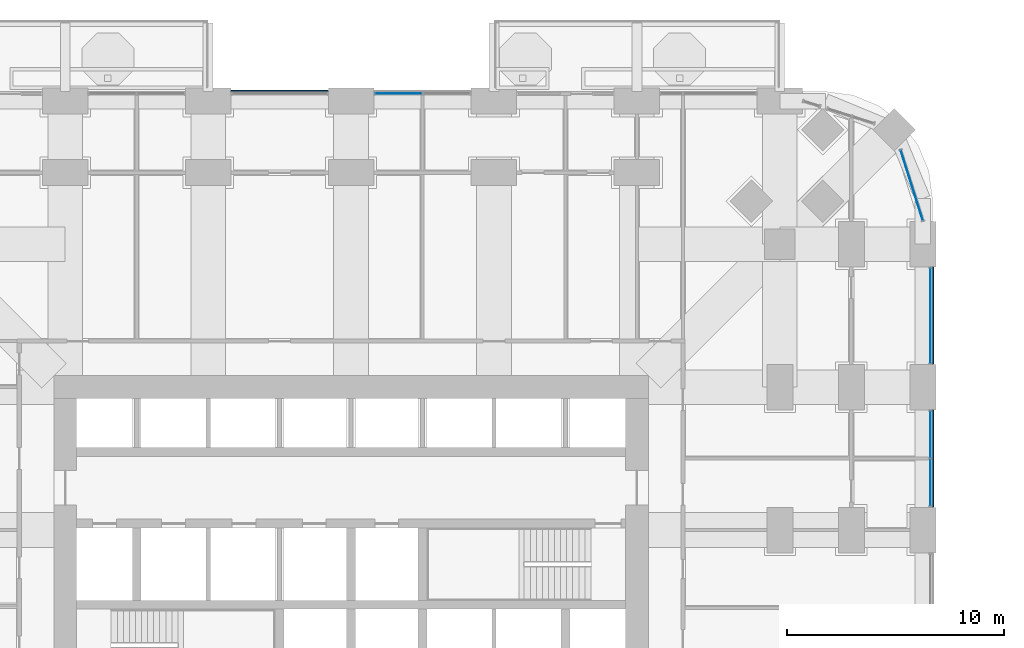
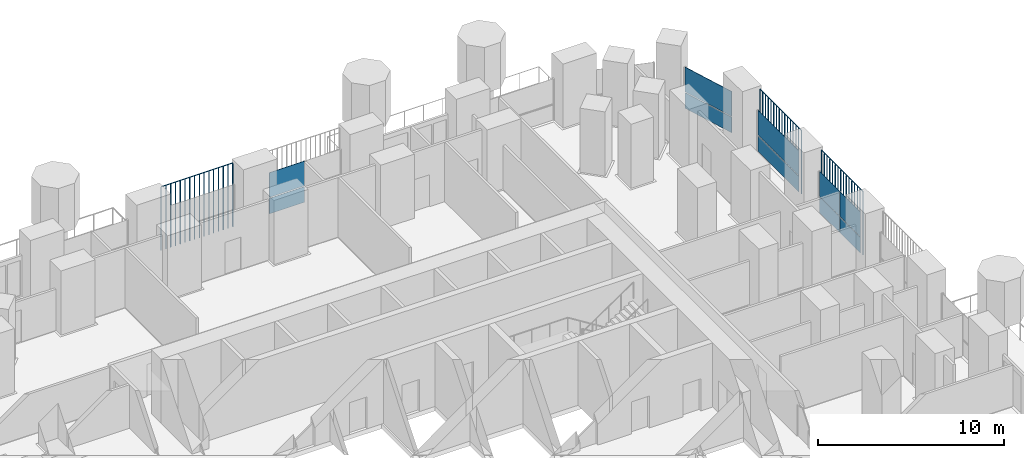
# One storey, part 16 of 27: 13 plates, 4 elements without a shape of their own.
"""IFC4 building model written with IfcOpenShell, lengths in metres."""

from ifc_helpers import new_model, si_unit, direction, frame, origin, origin_2d, place, context, subcontext, project, spatial, polyline, rectangle, outline, extrude, material, layer, layer_set, type_object, element, aggregate, save


model = new_model("IFC4")

# Units and contexts
model_context = context("Model", 3, precision=1e-05, world=origin(), true_north=direction((0.0, 1.0)))
body_context = subcontext(model_context, "Body", "Model", "MODEL_VIEW")
ifc_project = project(units=[si_unit("LENGTHUNIT", "METRE"), si_unit("AREAUNIT", "SQUARE_METRE"), si_unit("VOLUMEUNIT", "CUBIC_METRE"), si_unit("PLANEANGLEUNIT", "RADIAN"), si_unit("MASSUNIT", "GRAM", prefix="KILO")], contexts=[model_context])

# Site, building, storey
site_placement = place(None, origin())
site = spatial("IfcSite", under=ifc_project, at=site_placement, CompositionType="ELEMENT")
building_placement = place(site_placement, origin())
building = spatial("IfcBuilding", under=site, at=building_placement, Name="Cobogo Forest Laboratory Tower", CompositionType="ELEMENT")
storey_placement = place(building_placement, frame((0.0, 0.0, 54.89990234375)))
storey = spatial("IfcBuildingStorey", under=building, at=storey_placement, Name="L12", CompositionType="ELEMENT", Elevation=54.89990234375)

# Curtain wall, plates
ifc_material_1 = material(Name="Aluminium curtain wall", Category="aluminium")
curtain_wall_type = type_object("IfcCurtainWallType", Name="CW-1 unitised curtain wall, clear glazing, laboratory floors zones A and B", PredefinedType="USERDEFINED", material=ifc_material_1)
curtain_wall_1_placement = place(storey_placement, origin())
curtain_wall_1 = element("IfcCurtainWall", 1, at=curtain_wall_1_placement, inside=storey, type_object=curtain_wall_type, Name="Curtain wall 13 L12", ObjectType="UNITISED CURTAIN WALL", PredefinedType="USERDEFINED")
ifc_material_2 = material(Name="Clear insulated glass", Category="glass")
ifc_layer = layer(ifc_material_2, 0.028076171875)
ifc_layer_set = layer_set([ifc_layer], Name="GP-1 clear insulated glass unit 28")
plate_type_1 = type_object("IfcPlateType", Name="GP-1 clear insulated glass unit 28", PredefinedType="CURTAIN_PANEL", material=ifc_layer_set)
plate_1_placement = place(storey_placement, frame((53.14990234375, 28.590087890625, 0.0), z_axis=(0.0, 0.0, 1.0), x_axis=(0.0, 1.0, 0.0)))
plate_1 = element("IfcPlate", 2, at=plate_1_placement, type_object=plate_type_1, Name="CW-1 panel 1.1", PredefinedType="CURTAIN_PANEL", context=body_context, shape_type="SweptSolid", body=[
    extrude(rectangle(XDim=2.159912109375, YDim=0.028076171875, at=origin_2d()), origin(), (0.0, 0.0, 1.0), 1.02001953125),
])
plate_2_placement = place(storey_placement, frame((53.14990234375, 28.590087890625, 1.080078125), z_axis=(0.0, 0.0, 1.0), x_axis=(0.0, 1.0, 0.0)))
plate_2 = element("IfcPlate", 3, at=plate_2_placement, type_object=plate_type_1, Name="CW-1 panel 1.2", PredefinedType="CURTAIN_PANEL", context=body_context, shape_type="SweptSolid", body=[
    extrude(rectangle(XDim=2.159912109375, YDim=0.028076171875, at=origin_2d()), origin(), (0.0, 0.0, 1.0), 1.6201171875),
])
plate_3_placement = place(storey_placement, frame((53.14990234375, 30.81005859375, 0.0), z_axis=(0.0, 0.0, 1.0), x_axis=(0.0, 1.0, 0.0)))
plate_3 = element("IfcPlate", 4, at=plate_3_placement, type_object=plate_type_1, Name="CW-1 panel 2.1", PredefinedType="CURTAIN_PANEL", context=body_context, shape_type="SweptSolid", body=[
    extrude(rectangle(XDim=2.159912109375, YDim=0.028076171875, at=origin_2d()), origin(), (0.0, 0.0, 1.0), 1.02001953125),
])
plate_4_placement = place(storey_placement, frame((53.14990234375, 30.81005859375, 1.080078125), z_axis=(0.0, 0.0, 1.0), x_axis=(0.0, 1.0, 0.0)))
plate_4 = element("IfcPlate", 5, at=plate_4_placement, type_object=plate_type_1, Name="CW-1 panel 2.2", PredefinedType="CURTAIN_PANEL", context=body_context, shape_type="SweptSolid", body=[
    extrude(rectangle(XDim=2.159912109375, YDim=0.028076171875, at=origin_2d()), origin(), (0.0, 0.0, 1.0), 1.6201171875),
])
aggregate(curtain_wall_1, [plate_1, plate_2, plate_3, plate_4])

curtain_wall_2_placement = place(storey_placement, origin())
curtain_wall_2 = element("IfcCurtainWall", 6, at=curtain_wall_2_placement, inside=storey, type_object=curtain_wall_type, Name="Curtain wall 14 L12", ObjectType="UNITISED CURTAIN WALL", PredefinedType="USERDEFINED")
plate_5_placement = place(storey_placement, frame((53.14990234375, 36.300048828125, 0.0), z_axis=(0.0, 0.0, 1.0), x_axis=(0.0, 1.0, 0.0)))
plate_5 = element("IfcPlate", 7, at=plate_5_placement, type_object=plate_type_1, Name="CW-1 panel 1.1", PredefinedType="CURTAIN_PANEL", context=body_context, shape_type="SweptSolid", body=[
    extrude(rectangle(XDim=4.3798828125, YDim=0.028076171875, at=origin_2d()), origin(), (0.0, 0.0, 1.0), 1.02001953125),
])
plate_6_placement = place(storey_placement, frame((53.14990234375, 36.300048828125, 1.080078125), z_axis=(0.0, 0.0, 1.0), x_axis=(0.0, 1.0, 0.0)))
plate_6 = element("IfcPlate", 8, at=plate_6_placement, type_object=plate_type_1, Name="CW-1 panel 1.2", PredefinedType="CURTAIN_PANEL", context=body_context, shape_type="SweptSolid", body=[
    extrude(rectangle(XDim=4.3798828125, YDim=0.028076171875, at=origin_2d()), origin(), (0.0, 0.0, 1.0), 1.6201171875),
])
aggregate(curtain_wall_2, [plate_5, plate_6])

curtain_wall_3_placement = place(storey_placement, origin())
curtain_wall_3 = element("IfcCurtainWall", 9, at=curtain_wall_3_placement, inside=storey, type_object=curtain_wall_type, Name="Curtain wall 15 L12", ObjectType="UNITISED CURTAIN WALL", PredefinedType="USERDEFINED")
plate_7_placement = place(storey_placement, frame((52.291015625, 42.320068359375, 0.0), z_axis=(0.0, 0.0, 1.0), x_axis=(-0.30113535792, 0.95358140513, 0.0)))
plate_7 = element("IfcPlate", 10, at=plate_7_placement, type_object=plate_type_1, Name="CW-1 panel 1.1", PredefinedType="CURTAIN_PANEL", context=body_context, shape_type="SweptSolid", body=[
    extrude(rectangle(XDim=3.382568359375, YDim=0.028076171875, at=origin_2d()), origin(), (0.0, 0.0, 1.0), 1.02001953125),
])
plate_8_placement = place(storey_placement, frame((52.291015625, 42.320068359375, 1.080078125), z_axis=(0.0, 0.0, 1.0), x_axis=(-0.30113535792, 0.95358140513, 0.0)))
plate_8 = element("IfcPlate", 11, at=plate_8_placement, type_object=plate_type_1, Name="CW-1 panel 1.2", PredefinedType="CURTAIN_PANEL", context=body_context, shape_type="SweptSolid", body=[
    extrude(rectangle(XDim=3.382568359375, YDim=0.028076171875, at=origin_2d()), origin(), (0.0, 0.0, 1.0), 1.6201171875),
])
aggregate(curtain_wall_3, [plate_7, plate_8])

curtain_wall_4_placement = place(storey_placement, origin())
curtain_wall_4 = element("IfcCurtainWall", 12, at=curtain_wall_4_placement, inside=storey, type_object=curtain_wall_type, Name="Curtain wall 20 L12", ObjectType="UNITISED CURTAIN WALL", PredefinedType="USERDEFINED")
plate_9_placement = place(storey_placement, frame((28.590087890625, 46.550048828125, 0.0), z_axis=(0.0, 0.0, 1.0), x_axis=(-1.0, 0.0, 0.0)))
plate_9 = element("IfcPlate", 13, at=plate_9_placement, type_object=plate_type_1, Name="CW-1 panel 2.1", PredefinedType="CURTAIN_PANEL", context=body_context, shape_type="SweptSolid", body=[
    extrude(rectangle(XDim=2.159912109375, YDim=0.028076171875, at=origin_2d()), origin(), (0.0, 0.0, 1.0), 1.02001953125),
])
plate_10_placement = place(storey_placement, frame((28.590087890625, 46.550048828125, 1.080078125), z_axis=(0.0, 0.0, 1.0), x_axis=(-1.0, 0.0, 0.0)))
plate_10 = element("IfcPlate", 14, at=plate_10_placement, type_object=plate_type_1, Name="CW-1 panel 2.2", PredefinedType="CURTAIN_PANEL", context=body_context, shape_type="SweptSolid", body=[
    extrude(rectangle(XDim=2.159912109375, YDim=0.028076171875, at=origin_2d()), origin(), (0.0, 0.0, 1.0), 1.6201171875),
])
aggregate(curtain_wall_4, [plate_9, plate_10])

# Plates
ifc_material_3 = material(Name="Terracotta", Category="masonry")
plate_type_2 = type_object("IfcPlateType", Name="TB1 terracotta baguette screen", PredefinedType="USERDEFINED", material=ifc_material_3)
plate_11_placement = place(storey_placement, frame((53.27783203125, 27.481201171875, -0.14990234375)))
element("IfcPlate", 15, at=plate_11_placement, inside=storey, type_object=plate_type_2, Name="Baguette screen E4 L12", ObjectType="BAGUETTE SCREEN", PredefinedType="USERDEFINED", context=body_context, shape_type="SweptSolid", body=[
    extrude(outline(polyline([(0.02880859375, 0.011962890625), (0.011962890625, 0.02880859375), (-0.011962890625, 0.02880859375), (-0.02880859375, 0.011962890625), (-0.02880859375, -0.011962890625), (-0.011962890625, -0.02880859375), (0.011962890625, -0.02880859375), (0.02880859375, -0.011962890625), (0.02880859375, 0.011962890625)])), frame((0.0, 0.0, 4.168701171875), z_axis=(0.0, 1.0, 0.0), x_axis=(-1.0, 0.0, 0.0)), (0.0, 0.0, 1.0), 4.4375),
    extrude(outline(polyline([(0.02880859375, 0.011962890625), (0.011962890625, 0.02880859375), (-0.011962890625, 0.02880859375), (-0.02880859375, 0.011962890625), (-0.02880859375, -0.011962890625), (-0.011962890625, -0.02880859375), (0.011962890625, -0.02880859375), (0.02880859375, -0.011962890625), (0.02880859375, 0.011962890625)])), origin(), (0.0, 0.0, 1.0), 4.137451171875),
    extrude(outline(polyline([(0.02880859375, 0.011962890625), (0.011962890625, 0.02880859375), (-0.011962890625, 0.02880859375), (-0.02880859375, 0.011962890625), (-0.02880859375, -0.011962890625), (-0.011962890625, -0.02880859375), (0.011962890625, -0.02880859375), (0.02880859375, -0.011962890625), (0.02880859375, 0.011962890625)])), frame((0.0, 0.2958984375, 0.0)), (0.0, 0.0, 1.0), 4.137451171875),
    extrude(outline(polyline([(0.02880859375, 0.011962890625), (0.011962890625, 0.02880859375), (-0.011962890625, 0.02880859375), (-0.02880859375, 0.011962890625), (-0.02880859375, -0.011962890625), (-0.011962890625, -0.02880859375), (0.011962890625, -0.02880859375), (0.02880859375, -0.011962890625), (0.02880859375, 0.011962890625)])), frame((0.0, 0.591552734375, 0.0)), (0.0, 0.0, 1.0), 4.137451171875),
    extrude(outline(polyline([(0.02880859375, 0.011962890625), (0.011962890625, 0.02880859375), (-0.011962890625, 0.02880859375), (-0.02880859375, 0.011962890625), (-0.02880859375, -0.011962890625), (-0.011962890625, -0.02880859375), (0.011962890625, -0.02880859375), (0.02880859375, -0.011962890625), (0.02880859375, 0.011962890625)])), frame((0.0, 0.887451171875, 0.0)), (0.0, 0.0, 1.0), 4.137451171875),
    extrude(outline(polyline([(0.02880859375, 0.011962890625), (0.011962890625, 0.02880859375), (-0.011962890625, 0.02880859375), (-0.02880859375, 0.011962890625), (-0.02880859375, -0.011962890625), (-0.011962890625, -0.02880859375), (0.011962890625, -0.02880859375), (0.02880859375, -0.011962890625), (0.02880859375, 0.011962890625)])), frame((0.0, 1.183349609375, 0.0)), (0.0, 0.0, 1.0), 4.137451171875),
    extrude(outline(polyline([(0.02880859375, 0.011962890625), (0.011962890625, 0.02880859375), (-0.011962890625, 0.02880859375), (-0.02880859375, 0.011962890625), (-0.02880859375, -0.011962890625), (-0.011962890625, -0.02880859375), (0.011962890625, -0.02880859375), (0.02880859375, -0.011962890625), (0.02880859375, 0.011962890625)])), frame((0.0, 1.479248046875, 0.0)), (0.0, 0.0, 1.0), 4.137451171875),
    extrude(outline(polyline([(0.02880859375, 0.011962890625), (0.011962890625, 0.02880859375), (-0.011962890625, 0.02880859375), (-0.02880859375, 0.011962890625), (-0.02880859375, -0.011962890625), (-0.011962890625, -0.02880859375), (0.011962890625, -0.02880859375), (0.02880859375, -0.011962890625), (0.02880859375, 0.011962890625)])), frame((0.0, 1.77490234375, 0.0)), (0.0, 0.0, 1.0), 4.137451171875),
    extrude(outline(polyline([(0.02880859375, 0.011962890625), (0.011962890625, 0.02880859375), (-0.011962890625, 0.02880859375), (-0.02880859375, 0.011962890625), (-0.02880859375, -0.011962890625), (-0.011962890625, -0.02880859375), (0.011962890625, -0.02880859375), (0.02880859375, -0.011962890625), (0.02880859375, 0.011962890625)])), frame((0.0, 2.07080078125, 0.0)), (0.0, 0.0, 1.0), 4.137451171875),
    extrude(outline(polyline([(0.02880859375, 0.011962890625), (0.011962890625, 0.02880859375), (-0.011962890625, 0.02880859375), (-0.02880859375, 0.011962890625), (-0.02880859375, -0.011962890625), (-0.011962890625, -0.02880859375), (0.011962890625, -0.02880859375), (0.02880859375, -0.011962890625), (0.02880859375, 0.011962890625)])), frame((0.0, 2.36669921875, 0.0)), (0.0, 0.0, 1.0), 4.137451171875),
    extrude(outline(polyline([(0.02880859375, 0.011962890625), (0.011962890625, 0.02880859375), (-0.011962890625, 0.02880859375), (-0.02880859375, 0.011962890625), (-0.02880859375, -0.011962890625), (-0.011962890625, -0.02880859375), (0.011962890625, -0.02880859375), (0.02880859375, -0.011962890625), (0.02880859375, 0.011962890625)])), frame((0.0, 2.66259765625, 0.0)), (0.0, 0.0, 1.0), 4.137451171875),
    extrude(outline(polyline([(0.02880859375, 0.011962890625), (0.011962890625, 0.02880859375), (-0.011962890625, 0.02880859375), (-0.02880859375, 0.011962890625), (-0.02880859375, -0.011962890625), (-0.011962890625, -0.02880859375), (0.011962890625, -0.02880859375), (0.02880859375, -0.011962890625), (0.02880859375, 0.011962890625)])), frame((0.0, 2.958251953125, 0.0)), (0.0, 0.0, 1.0), 4.137451171875),
    extrude(outline(polyline([(0.02880859375, 0.011962890625), (0.011962890625, 0.02880859375), (-0.011962890625, 0.02880859375), (-0.02880859375, 0.011962890625), (-0.02880859375, -0.011962890625), (-0.011962890625, -0.02880859375), (0.011962890625, -0.02880859375), (0.02880859375, -0.011962890625), (0.02880859375, 0.011962890625)])), frame((0.0, 3.254150390625, 0.0)), (0.0, 0.0, 1.0), 4.137451171875),
    extrude(outline(polyline([(0.02880859375, 0.011962890625), (0.011962890625, 0.02880859375), (-0.011962890625, 0.02880859375), (-0.02880859375, 0.011962890625), (-0.02880859375, -0.011962890625), (-0.011962890625, -0.02880859375), (0.011962890625, -0.02880859375), (0.02880859375, -0.011962890625), (0.02880859375, 0.011962890625)])), frame((0.0, 3.550048828125, 0.0)), (0.0, 0.0, 1.0), 4.137451171875),
    extrude(outline(polyline([(0.02880859375, 0.011962890625), (0.011962890625, 0.02880859375), (-0.011962890625, 0.02880859375), (-0.02880859375, 0.011962890625), (-0.02880859375, -0.011962890625), (-0.011962890625, -0.02880859375), (0.011962890625, -0.02880859375), (0.02880859375, -0.011962890625), (0.02880859375, 0.011962890625)])), frame((0.0, 3.845947265625, 0.0)), (0.0, 0.0, 1.0), 4.137451171875),
    extrude(outline(polyline([(0.02880859375, 0.011962890625), (0.011962890625, 0.02880859375), (-0.011962890625, 0.02880859375), (-0.02880859375, 0.011962890625), (-0.02880859375, -0.011962890625), (-0.011962890625, -0.02880859375), (0.011962890625, -0.02880859375), (0.02880859375, -0.011962890625), (0.02880859375, 0.011962890625)])), frame((0.0, 4.1416015625, 0.0)), (0.0, 0.0, 1.0), 4.137451171875),
    extrude(outline(polyline([(0.02880859375, 0.011962890625), (0.011962890625, 0.02880859375), (-0.011962890625, 0.02880859375), (-0.02880859375, 0.011962890625), (-0.02880859375, -0.011962890625), (-0.011962890625, -0.02880859375), (0.011962890625, -0.02880859375), (0.02880859375, -0.011962890625), (0.02880859375, 0.011962890625)])), frame((0.0, 4.4375, 0.0)), (0.0, 0.0, 1.0), 4.137451171875),
])
plate_12_placement = place(storey_placement, frame((53.27783203125, 34.081298828125, -0.14990234375)))
element("IfcPlate", 16, at=plate_12_placement, inside=storey, type_object=plate_type_2, Name="Baguette screen E5 L12", ObjectType="BAGUETTE SCREEN", PredefinedType="USERDEFINED", context=body_context, shape_type="SweptSolid", body=[
    extrude(outline(polyline([(0.02880859375, 0.011962890625), (0.011962890625, 0.02880859375), (-0.011962890625, 0.02880859375), (-0.02880859375, 0.011962890625), (-0.02880859375, -0.011962890625), (-0.011962890625, -0.02880859375), (0.011962890625, -0.02880859375), (0.02880859375, -0.011962890625), (0.02880859375, 0.011962890625)])), frame((0.0, 0.0, 4.168701171875), z_axis=(0.0, 1.0, 0.0), x_axis=(-1.0, 0.0, 0.0)), (0.0, 0.0, 1.0), 4.4375),
    extrude(outline(polyline([(0.02880859375, 0.011962890625), (0.011962890625, 0.02880859375), (-0.011962890625, 0.02880859375), (-0.02880859375, 0.011962890625), (-0.02880859375, -0.011962890625), (-0.011962890625, -0.02880859375), (0.011962890625, -0.02880859375), (0.02880859375, -0.011962890625), (0.02880859375, 0.011962890625)])), origin(), (0.0, 0.0, 1.0), 4.137451171875),
    extrude(outline(polyline([(0.02880859375, 0.011962890625), (0.011962890625, 0.02880859375), (-0.011962890625, 0.02880859375), (-0.02880859375, 0.011962890625), (-0.02880859375, -0.011962890625), (-0.011962890625, -0.02880859375), (0.011962890625, -0.02880859375), (0.02880859375, -0.011962890625), (0.02880859375, 0.011962890625)])), frame((0.0, 0.2958984375, 0.0)), (0.0, 0.0, 1.0), 4.137451171875),
    extrude(outline(polyline([(0.02880859375, 0.011962890625), (0.011962890625, 0.02880859375), (-0.011962890625, 0.02880859375), (-0.02880859375, 0.011962890625), (-0.02880859375, -0.011962890625), (-0.011962890625, -0.02880859375), (0.011962890625, -0.02880859375), (0.02880859375, -0.011962890625), (0.02880859375, 0.011962890625)])), frame((0.0, 0.591552734375, 0.0)), (0.0, 0.0, 1.0), 4.137451171875),
    extrude(outline(polyline([(0.02880859375, 0.011962890625), (0.011962890625, 0.02880859375), (-0.011962890625, 0.02880859375), (-0.02880859375, 0.011962890625), (-0.02880859375, -0.011962890625), (-0.011962890625, -0.02880859375), (0.011962890625, -0.02880859375), (0.02880859375, -0.011962890625), (0.02880859375, 0.011962890625)])), frame((0.0, 0.887451171875, 0.0)), (0.0, 0.0, 1.0), 4.137451171875),
    extrude(outline(polyline([(0.02880859375, 0.011962890625), (0.011962890625, 0.02880859375), (-0.011962890625, 0.02880859375), (-0.02880859375, 0.011962890625), (-0.02880859375, -0.011962890625), (-0.011962890625, -0.02880859375), (0.011962890625, -0.02880859375), (0.02880859375, -0.011962890625), (0.02880859375, 0.011962890625)])), frame((0.0, 1.183349609375, 0.0)), (0.0, 0.0, 1.0), 4.137451171875),
    extrude(outline(polyline([(0.02880859375, 0.011962890625), (0.011962890625, 0.02880859375), (-0.011962890625, 0.02880859375), (-0.02880859375, 0.011962890625), (-0.02880859375, -0.011962890625), (-0.011962890625, -0.02880859375), (0.011962890625, -0.02880859375), (0.02880859375, -0.011962890625), (0.02880859375, 0.011962890625)])), frame((0.0, 1.479248046875, 0.0)), (0.0, 0.0, 1.0), 4.137451171875),
    extrude(outline(polyline([(0.02880859375, 0.011962890625), (0.011962890625, 0.02880859375), (-0.011962890625, 0.02880859375), (-0.02880859375, 0.011962890625), (-0.02880859375, -0.011962890625), (-0.011962890625, -0.02880859375), (0.011962890625, -0.02880859375), (0.02880859375, -0.011962890625), (0.02880859375, 0.011962890625)])), frame((0.0, 1.77490234375, 0.0)), (0.0, 0.0, 1.0), 4.137451171875),
    extrude(outline(polyline([(0.02880859375, 0.011962890625), (0.011962890625, 0.02880859375), (-0.011962890625, 0.02880859375), (-0.02880859375, 0.011962890625), (-0.02880859375, -0.011962890625), (-0.011962890625, -0.02880859375), (0.011962890625, -0.02880859375), (0.02880859375, -0.011962890625), (0.02880859375, 0.011962890625)])), frame((0.0, 2.07080078125, 0.0)), (0.0, 0.0, 1.0), 4.137451171875),
    extrude(outline(polyline([(0.02880859375, 0.011962890625), (0.011962890625, 0.02880859375), (-0.011962890625, 0.02880859375), (-0.02880859375, 0.011962890625), (-0.02880859375, -0.011962890625), (-0.011962890625, -0.02880859375), (0.011962890625, -0.02880859375), (0.02880859375, -0.011962890625), (0.02880859375, 0.011962890625)])), frame((0.0, 2.36669921875, 0.0)), (0.0, 0.0, 1.0), 4.137451171875),
    extrude(outline(polyline([(0.02880859375, 0.011962890625), (0.011962890625, 0.02880859375), (-0.011962890625, 0.02880859375), (-0.02880859375, 0.011962890625), (-0.02880859375, -0.011962890625), (-0.011962890625, -0.02880859375), (0.011962890625, -0.02880859375), (0.02880859375, -0.011962890625), (0.02880859375, 0.011962890625)])), frame((0.0, 2.66259765625, 0.0)), (0.0, 0.0, 1.0), 4.137451171875),
    extrude(outline(polyline([(0.02880859375, 0.011962890625), (0.011962890625, 0.02880859375), (-0.011962890625, 0.02880859375), (-0.02880859375, 0.011962890625), (-0.02880859375, -0.011962890625), (-0.011962890625, -0.02880859375), (0.011962890625, -0.02880859375), (0.02880859375, -0.011962890625), (0.02880859375, 0.011962890625)])), frame((0.0, 2.958251953125, 0.0)), (0.0, 0.0, 1.0), 4.137451171875),
    extrude(outline(polyline([(0.02880859375, 0.011962890625), (0.011962890625, 0.02880859375), (-0.011962890625, 0.02880859375), (-0.02880859375, 0.011962890625), (-0.02880859375, -0.011962890625), (-0.011962890625, -0.02880859375), (0.011962890625, -0.02880859375), (0.02880859375, -0.011962890625), (0.02880859375, 0.011962890625)])), frame((0.0, 3.254150390625, 0.0)), (0.0, 0.0, 1.0), 4.137451171875),
    extrude(outline(polyline([(0.02880859375, 0.011962890625), (0.011962890625, 0.02880859375), (-0.011962890625, 0.02880859375), (-0.02880859375, 0.011962890625), (-0.02880859375, -0.011962890625), (-0.011962890625, -0.02880859375), (0.011962890625, -0.02880859375), (0.02880859375, -0.011962890625), (0.02880859375, 0.011962890625)])), frame((0.0, 3.550048828125, 0.0)), (0.0, 0.0, 1.0), 4.137451171875),
    extrude(outline(polyline([(0.02880859375, 0.011962890625), (0.011962890625, 0.02880859375), (-0.011962890625, 0.02880859375), (-0.02880859375, 0.011962890625), (-0.02880859375, -0.011962890625), (-0.011962890625, -0.02880859375), (0.011962890625, -0.02880859375), (0.02880859375, -0.011962890625), (0.02880859375, 0.011962890625)])), frame((0.0, 3.845947265625, 0.0)), (0.0, 0.0, 1.0), 4.137451171875),
    extrude(outline(polyline([(0.02880859375, 0.011962890625), (0.011962890625, 0.02880859375), (-0.011962890625, 0.02880859375), (-0.02880859375, 0.011962890625), (-0.02880859375, -0.011962890625), (-0.011962890625, -0.02880859375), (0.011962890625, -0.02880859375), (0.02880859375, -0.011962890625), (0.02880859375, 0.011962890625)])), frame((0.0, 4.1416015625, 0.0)), (0.0, 0.0, 1.0), 4.137451171875),
    extrude(outline(polyline([(0.02880859375, 0.011962890625), (0.011962890625, 0.02880859375), (-0.011962890625, 0.02880859375), (-0.02880859375, 0.011962890625), (-0.02880859375, -0.011962890625), (-0.011962890625, -0.02880859375), (0.011962890625, -0.02880859375), (0.02880859375, -0.011962890625), (0.02880859375, 0.011962890625)])), frame((0.0, 4.4375, 0.0)), (0.0, 0.0, 1.0), 4.137451171875),
])
plate_13_placement = place(storey_placement, frame((20.88134765625, 46.677978515625, -0.14990234375)))
element("IfcPlate", 17, at=plate_13_placement, inside=storey, type_object=plate_type_2, Name="Baguette screen N3 L12", ObjectType="BAGUETTE SCREEN", PredefinedType="USERDEFINED", context=body_context, shape_type="SweptSolid", body=[
    extrude(outline(polyline([(0.02880859375, 0.011962890625), (0.011962890625, 0.02880859375), (-0.011962890625, 0.02880859375), (-0.02880859375, 0.011962890625), (-0.02880859375, -0.011962890625), (-0.011962890625, -0.02880859375), (0.011962890625, -0.02880859375), (0.02880859375, -0.011962890625), (0.02880859375, 0.011962890625)])), frame((0.0, 0.0, 4.168701171875), z_axis=(1.0, 0.0, 0.0), x_axis=(0.0, 1.0, 0.0)), (0.0, 0.0, 1.0), 4.4375),
    extrude(outline(polyline([(0.02880859375, 0.011962890625), (0.011962890625, 0.02880859375), (-0.011962890625, 0.02880859375), (-0.02880859375, 0.011962890625), (-0.02880859375, -0.011962890625), (-0.011962890625, -0.02880859375), (0.011962890625, -0.02880859375), (0.02880859375, -0.011962890625), (0.02880859375, 0.011962890625)])), origin(), (0.0, 0.0, 1.0), 4.137451171875),
    extrude(outline(polyline([(0.02880859375, 0.011962890625), (0.011962890625, 0.02880859375), (-0.011962890625, 0.02880859375), (-0.02880859375, 0.011962890625), (-0.02880859375, -0.011962890625), (-0.011962890625, -0.02880859375), (0.011962890625, -0.02880859375), (0.02880859375, -0.011962890625), (0.02880859375, 0.011962890625)])), frame((0.2958984375, 0.0, 0.0)), (0.0, 0.0, 1.0), 4.137451171875),
    extrude(outline(polyline([(0.02880859375, 0.011962890625), (0.011962890625, 0.02880859375), (-0.011962890625, 0.02880859375), (-0.02880859375, 0.011962890625), (-0.02880859375, -0.011962890625), (-0.011962890625, -0.02880859375), (0.011962890625, -0.02880859375), (0.02880859375, -0.011962890625), (0.02880859375, 0.011962890625)])), frame((0.591552734375, 0.0, 0.0)), (0.0, 0.0, 1.0), 4.137451171875),
    extrude(outline(polyline([(0.02880859375, 0.011962890625), (0.011962890625, 0.02880859375), (-0.011962890625, 0.02880859375), (-0.02880859375, 0.011962890625), (-0.02880859375, -0.011962890625), (-0.011962890625, -0.02880859375), (0.011962890625, -0.02880859375), (0.02880859375, -0.011962890625), (0.02880859375, 0.011962890625)])), frame((0.887451171875, 0.0, 0.0)), (0.0, 0.0, 1.0), 4.137451171875),
    extrude(outline(polyline([(0.02880859375, 0.011962890625), (0.011962890625, 0.02880859375), (-0.011962890625, 0.02880859375), (-0.02880859375, 0.011962890625), (-0.02880859375, -0.011962890625), (-0.011962890625, -0.02880859375), (0.011962890625, -0.02880859375), (0.02880859375, -0.011962890625), (0.02880859375, 0.011962890625)])), frame((1.183349609375, 0.0, 0.0)), (0.0, 0.0, 1.0), 4.137451171875),
    extrude(outline(polyline([(0.02880859375, 0.011962890625), (0.011962890625, 0.02880859375), (-0.011962890625, 0.02880859375), (-0.02880859375, 0.011962890625), (-0.02880859375, -0.011962890625), (-0.011962890625, -0.02880859375), (0.011962890625, -0.02880859375), (0.02880859375, -0.011962890625), (0.02880859375, 0.011962890625)])), frame((1.479248046875, 0.0, 0.0)), (0.0, 0.0, 1.0), 4.137451171875),
    extrude(outline(polyline([(0.02880859375, 0.011962890625), (0.011962890625, 0.02880859375), (-0.011962890625, 0.02880859375), (-0.02880859375, 0.011962890625), (-0.02880859375, -0.011962890625), (-0.011962890625, -0.02880859375), (0.011962890625, -0.02880859375), (0.02880859375, -0.011962890625), (0.02880859375, 0.011962890625)])), frame((1.77490234375, 0.0, 0.0)), (0.0, 0.0, 1.0), 4.137451171875),
    extrude(outline(polyline([(0.02880859375, 0.011962890625), (0.011962890625, 0.02880859375), (-0.011962890625, 0.02880859375), (-0.02880859375, 0.011962890625), (-0.02880859375, -0.011962890625), (-0.011962890625, -0.02880859375), (0.011962890625, -0.02880859375), (0.02880859375, -0.011962890625), (0.02880859375, 0.011962890625)])), frame((2.07080078125, 0.0, 0.0)), (0.0, 0.0, 1.0), 4.137451171875),
    extrude(outline(polyline([(0.02880859375, 0.011962890625), (0.011962890625, 0.02880859375), (-0.011962890625, 0.02880859375), (-0.02880859375, 0.011962890625), (-0.02880859375, -0.011962890625), (-0.011962890625, -0.02880859375), (0.011962890625, -0.02880859375), (0.02880859375, -0.011962890625), (0.02880859375, 0.011962890625)])), frame((2.36669921875, 0.0, 0.0)), (0.0, 0.0, 1.0), 4.137451171875),
    extrude(outline(polyline([(0.02880859375, 0.011962890625), (0.011962890625, 0.02880859375), (-0.011962890625, 0.02880859375), (-0.02880859375, 0.011962890625), (-0.02880859375, -0.011962890625), (-0.011962890625, -0.02880859375), (0.011962890625, -0.02880859375), (0.02880859375, -0.011962890625), (0.02880859375, 0.011962890625)])), frame((2.66259765625, 0.0, 0.0)), (0.0, 0.0, 1.0), 4.137451171875),
    extrude(outline(polyline([(0.02880859375, 0.011962890625), (0.011962890625, 0.02880859375), (-0.011962890625, 0.02880859375), (-0.02880859375, 0.011962890625), (-0.02880859375, -0.011962890625), (-0.011962890625, -0.02880859375), (0.011962890625, -0.02880859375), (0.02880859375, -0.011962890625), (0.02880859375, 0.011962890625)])), frame((2.958251953125, 0.0, 0.0)), (0.0, 0.0, 1.0), 4.137451171875),
    extrude(outline(polyline([(0.02880859375, 0.011962890625), (0.011962890625, 0.02880859375), (-0.011962890625, 0.02880859375), (-0.02880859375, 0.011962890625), (-0.02880859375, -0.011962890625), (-0.011962890625, -0.02880859375), (0.011962890625, -0.02880859375), (0.02880859375, -0.011962890625), (0.02880859375, 0.011962890625)])), frame((3.254150390625, 0.0, 0.0)), (0.0, 0.0, 1.0), 4.137451171875),
    extrude(outline(polyline([(0.02880859375, 0.011962890625), (0.011962890625, 0.02880859375), (-0.011962890625, 0.02880859375), (-0.02880859375, 0.011962890625), (-0.02880859375, -0.011962890625), (-0.011962890625, -0.02880859375), (0.011962890625, -0.02880859375), (0.02880859375, -0.011962890625), (0.02880859375, 0.011962890625)])), frame((3.550048828125, 0.0, 0.0)), (0.0, 0.0, 1.0), 4.137451171875),
    extrude(outline(polyline([(0.02880859375, 0.011962890625), (0.011962890625, 0.02880859375), (-0.011962890625, 0.02880859375), (-0.02880859375, 0.011962890625), (-0.02880859375, -0.011962890625), (-0.011962890625, -0.02880859375), (0.011962890625, -0.02880859375), (0.02880859375, -0.011962890625), (0.02880859375, 0.011962890625)])), frame((3.845947265625, 0.0, 0.0)), (0.0, 0.0, 1.0), 4.137451171875),
    extrude(outline(polyline([(0.02880859375, 0.011962890625), (0.011962890625, 0.02880859375), (-0.011962890625, 0.02880859375), (-0.02880859375, 0.011962890625), (-0.02880859375, -0.011962890625), (-0.011962890625, -0.02880859375), (0.011962890625, -0.02880859375), (0.02880859375, -0.011962890625), (0.02880859375, 0.011962890625)])), frame((4.1416015625, 0.0, 0.0)), (0.0, 0.0, 1.0), 4.137451171875),
    extrude(outline(polyline([(0.02880859375, 0.011962890625), (0.011962890625, 0.02880859375), (-0.011962890625, 0.02880859375), (-0.02880859375, 0.011962890625), (-0.02880859375, -0.011962890625), (-0.011962890625, -0.02880859375), (0.011962890625, -0.02880859375), (0.02880859375, -0.011962890625), (0.02880859375, 0.011962890625)])), frame((4.4375, 0.0, 0.0)), (0.0, 0.0, 1.0), 4.137451171875),
])

save(model, "model.ifc")
